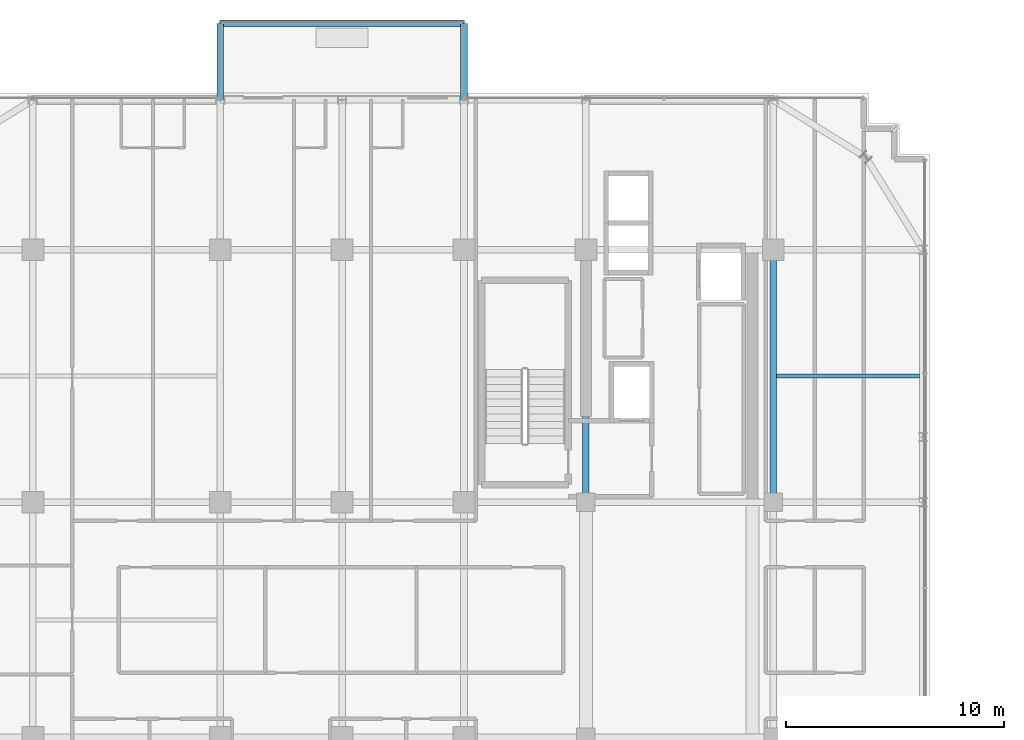
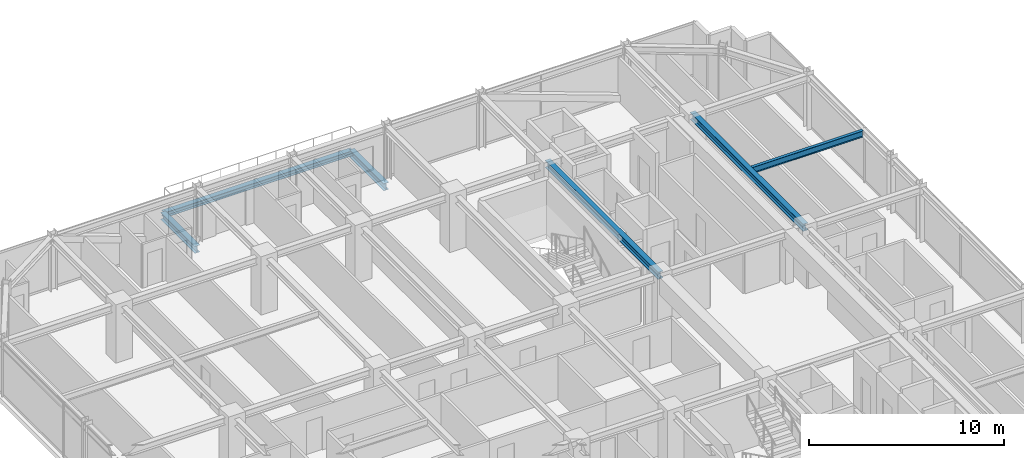
# One storey, part 24 of 43: 6 beams.
"""IFC4 building model written with IfcOpenShell, lengths in metres."""

import ifcopenshell
import ifcopenshell.guid

model = None  # the IFC model being written
_history = None  # IfcOwnerHistory: only IFC2X3 demands one
_inside = {}  # id of a spatial element -> (the spatial element, [elements in it])
_under = {}  # id of a project, library or spatial element -> (it, [spatial elements below it])
_declared = {}  # id of a project -> (the project, [libraries it declares])
_typed = {}  # id of a type object -> (the type object, [elements of that type])
_made_of = {}  # id of a material, layer set ... -> (it, [elements and type objects made of it])


def new_model(schema):
    """Start an empty IFC model of exactly this schema.

    Asked for "IFC4X3", IfcOpenShell would pick the latest addendum, in which some entities
    have other attributes; the version numbers below select the first issue.
    IFC2X3 requires an IfcOwnerHistory on every rooted entity: one is made here for all.
    """
    global model, _history
    if schema == "IFC4X3":
        model = ifcopenshell.file(schema_version=(4, 3, 0, 0))
    else:
        model = ifcopenshell.file(schema=schema)
    _inside.clear()
    _under.clear()
    _declared.clear()
    _typed.clear()
    _made_of.clear()
    _history = None
    if model.schema == "IFC2X3":
        org = make("IfcOrganization", Name="unknown")
        user = make(
            "IfcPersonAndOrganization",
            ThePerson=make("IfcPerson", FamilyName="unknown"),
            TheOrganization=org,
        )
        app = make(
            "IfcApplication",
            ApplicationDeveloper=org,
            Version="unknown",
            ApplicationFullName="unknown",
            ApplicationIdentifier="unknown",
        )
        _history = make(
            "IfcOwnerHistory",
            OwningUser=user,
            OwningApplication=app,
            ChangeAction="ADDED",
            CreationDate=0,
        )
    return model


def make(cls, **values):
    """One entity of the class cls with the attributes given. An attribute that is None is left unset."""
    return model.create_entity(
        cls, **{name: value for name, value in values.items() if value is not None}
    )


def rooted(cls, **values):
    """An entity with a GlobalId (a new one), such as an element, a storey or a relation."""
    return make(cls, GlobalId=ifcopenshell.guid.new(), OwnerHistory=_history, **values)


def si_unit(unit_type, name, prefix=None):
    """IfcSIUnit, for example si_unit("LENGTHUNIT", "METRE", prefix="MILLI")."""
    return make("IfcSIUnit", UnitType=unit_type, Prefix=prefix, Name=name)


def assignment(units):
    """IfcUnitAssignment: the units of a project."""
    return None if units is None else make("IfcUnitAssignment", Units=units)


def point(xyz):
    """IfcCartesianPoint."""
    return None if xyz is None else make("IfcCartesianPoint", Coordinates=xyz)


def direction(xyz):
    """IfcDirection."""
    return None if xyz is None else make("IfcDirection", DirectionRatios=xyz)


def frame(location, z_axis=None, x_axis=None):
    """IfcAxis2Placement3D, a coordinate frame: its origin and axes. An axis left out is left unset."""
    return make(
        "IfcAxis2Placement3D",
        Location=point(location),
        Axis=direction(z_axis),
        RefDirection=direction(x_axis),
    )


def frame_2d(location, x_axis=None):
    """IfcAxis2Placement2D, a coordinate frame in the plane: its origin and x axis."""
    return make(
        "IfcAxis2Placement2D", Location=point(location), RefDirection=direction(x_axis)
    )


def origin():
    """The frame at (0, 0, 0) with its axes left unset."""
    return frame((0.0, 0.0, 0.0))


def origin_2d():
    """The frame at (0, 0) in the plane with its x axis left unset."""
    return frame_2d((0.0, 0.0))


def place(relative_to, where):
    """IfcLocalPlacement: puts the frame where relative to a parent placement (None: the world)."""
    return make(
        "IfcLocalPlacement", PlacementRelTo=relative_to, RelativePlacement=where
    )


def context(
    kind, dimensions, precision=None, world=None, true_north=None, identifier=None
):
    """IfcGeometricRepresentationContext, for example the 3D "Model" context."""
    return make(
        "IfcGeometricRepresentationContext",
        ContextIdentifier=identifier,
        ContextType=kind,
        CoordinateSpaceDimension=dimensions,
        Precision=precision,
        WorldCoordinateSystem=world,
        TrueNorth=true_north,
    )


def subcontext(parent, identifier, kind, view, scale=None):
    """IfcGeometricRepresentationSubContext, for example "Body" below "Model"."""
    return make(
        "IfcGeometricRepresentationSubContext",
        ContextIdentifier=identifier,
        ContextType=kind,
        ParentContext=parent,
        TargetScale=scale,
        TargetView=view,
    )


def project(units=None, contexts=None):
    """IfcProject with its units and contexts."""
    return rooted(
        "IfcProject",
        Name="project",
        RepresentationContexts=contexts,
        UnitsInContext=assignment(units),
    )


def spatial(cls, under=None, at=None, **own):
    """A site, building, storey or space (cls), placed at a placement, below another one or the project."""
    s = rooted(cls, ObjectPlacement=at, **own)
    if under is not None:
        _under.setdefault(under.id(), (under, []))[1].append(s)
    return s


def profile(cls, at=None, kind="AREA", **sizes):
    """A parametric profile (cls). Its sizes go by their IFC names, for example OverallWidth=200.0."""
    return make(cls, ProfileType=kind, Position=at, **sizes)


def i_section(**sizes):
    """IfcIShapeProfileDef."""
    return profile("IfcIShapeProfileDef", **sizes)


def extrude(swept, where, along, depth):
    """IfcExtrudedAreaSolid: the profile swept, set in the frame where, extruded along a direction by depth."""
    return make(
        "IfcExtrudedAreaSolid",
        SweptArea=swept,
        Position=where,
        ExtrudedDirection=direction(along),
        Depth=depth,
    )


def shape(context_of_items, identifier, shape_type, items):
    """IfcShapeRepresentation: the items that make up one representation, for example the "Body"."""
    return make(
        "IfcShapeRepresentation",
        ContextOfItems=context_of_items,
        RepresentationIdentifier=identifier,
        RepresentationType=shape_type,
        Items=items,
    )


def source(mapping_origin, context_of_items, identifier, shape_type, items):
    """IfcRepresentationMap: a shape defined once, which mapped items show again and again."""
    return make(
        "IfcRepresentationMap",
        MappingOrigin=mapping_origin,
        MappedRepresentation=shape(context_of_items, identifier, shape_type, items),
    )


def transform(
    local_origin,
    x_axis=None,
    y_axis=None,
    z_axis=None,
    scale=None,
    scale2=None,
    scale3=None,
    uniform=True,
):
    """IfcCartesianTransformationOperator3D, or its non-uniform kind. x_axis, y_axis, z_axis: its Axis1, 2, 3."""
    if uniform:
        return make(
            "IfcCartesianTransformationOperator3D",
            Axis1=direction(x_axis),
            Axis2=direction(y_axis),
            LocalOrigin=point(local_origin),
            Scale=scale,
            Axis3=direction(z_axis),
        )
    return make(
        "IfcCartesianTransformationOperator3DnonUniform",
        Axis1=direction(x_axis),
        Axis2=direction(y_axis),
        LocalOrigin=point(local_origin),
        Scale=scale,
        Axis3=direction(z_axis),
        Scale2=scale2,
        Scale3=scale3,
    )


def mapped(mapping_source, mapping_target):
    """IfcMappedItem: shows the shape of a source again, moved by a transform."""
    return make(
        "IfcMappedItem", MappingSource=mapping_source, MappingTarget=mapping_target
    )


def material(Name=None, Category=None):
    """IfcMaterial."""
    return make("IfcMaterial", Name=Name, Category=Category)


def material_profile(
    of_material, cross_section, Name=None, Category=None, Priority=None
):
    """IfcMaterialProfile: a cross section and its material."""
    return make(
        "IfcMaterialProfile",
        Name=Name,
        Material=of_material,
        Profile=cross_section,
        Priority=Priority,
        Category=Category,
    )


def profile_set(profiles, Name=None, composite=None):
    """IfcMaterialProfileSet."""
    return make(
        "IfcMaterialProfileSet",
        Name=Name,
        MaterialProfiles=profiles,
        CompositeProfile=composite,
    )


def made_of(thing, what):
    """Note that an element or type object is made of a material, layer set ...; save() writes the relation."""
    if what is not None:
        _made_of.setdefault(what.id(), (what, []))[1].append(thing)
    return thing


def type_object(cls, material=None, **own):
    """A type object (cls), such as IfcWallType, which elements share."""
    return made_of(rooted(cls, **own), material)


def element(
    cls,
    number,
    at=None,
    inside=None,
    cuts=None,
    type_object=None,
    material=None,
    context=None,
    identifier="Body",
    shape_type=None,
    held_by="IfcProductDefinitionShape",
    body=None,
    shapes=None,
    **own,
):
    """One element of the class cls, such as IfcWall. Its Tag is "e" and its number.

    at: its placement. inside: the storey or other place that contains it. cuts: it is an
    opening in that element (IfcRelVoidsElement). A single representation is given by context,
    identifier, shape_type and body (its items); several are given by shapes. held_by: the class
    of the entity that holds the representations. save() writes the other relations.
    """
    e = rooted(cls, Tag="e%d" % number, ObjectPlacement=at, **own)
    if body is not None:
        shapes = [shape(context, identifier, shape_type, body)]
    if shapes is not None:
        e.Representation = make(held_by, Representations=shapes)
    if inside is not None:
        _inside.setdefault(inside.id(), (inside, []))[1].append(e)
    if cuts is not None:
        rooted(
            "IfcRelVoidsElement", RelatingBuildingElement=cuts, RelatedOpeningElement=e
        )
    if type_object is not None:
        _typed.setdefault(type_object.id(), (type_object, []))[1].append(e)
    return made_of(e, material)


def aggregate(whole, parts):
    """IfcRelAggregates: a whole, such as a stair, and the parts it consists of."""
    return rooted("IfcRelAggregates", RelatingObject=whole, RelatedObjects=parts)


def save(model, path):
    """Write the relations noted so far, then the file.

    IfcRelAggregates (storeys below a building ...), IfcRelContainedInSpatialStructure (elements
    in a storey), IfcRelDefinesByType, IfcRelAssociatesMaterial and IfcRelDeclares: one each for
    every whole, place, type object, material and project.
    """
    for whole, parts in _under.values():
        aggregate(whole, parts)
    for where, things in _inside.values():
        rooted(
            "IfcRelContainedInSpatialStructure",
            RelatedElements=things,
            RelatingStructure=where,
        )
    for kind, things in _typed.values():
        rooted("IfcRelDefinesByType", RelatedObjects=things, RelatingType=kind)
    for what, things in _made_of.values():
        rooted("IfcRelAssociatesMaterial", RelatedObjects=things, RelatingMaterial=what)
    for by, libraries in _declared.values():
        rooted("IfcRelDeclares", RelatingContext=by, RelatedDefinitions=libraries)
    model.write(path)


model = new_model("IFC4")

# Units and contexts
model_context = context("Model", 3, precision=1e-05, world=origin(), true_north=direction((0.0, 1.0)))
body_context = subcontext(model_context, "Body", "Model", "MODEL_VIEW")
ifc_project = project(units=[si_unit("LENGTHUNIT", "METRE"), si_unit("AREAUNIT", "SQUARE_METRE"), si_unit("VOLUMEUNIT", "CUBIC_METRE"), si_unit("PLANEANGLEUNIT", "RADIAN"), si_unit("MASSUNIT", "GRAM", prefix="KILO")], contexts=[model_context])

# Site, building, storey
site_placement = place(None, origin())
site = spatial("IfcSite", under=ifc_project, at=site_placement, CompositionType="ELEMENT")
building_placement = place(site_placement, origin())
building = spatial("IfcBuilding", under=site, at=building_placement, Name="Nahalor Promenade Grand Hotel", CompositionType="ELEMENT")
storey_placement = place(building_placement, frame((0.0, 0.0, 204.89990234375)))
storey = spatial("IfcBuildingStorey", under=building, at=storey_placement, Name="L52", CompositionType="ELEMENT", Elevation=204.89990234375)

# Beams
ifc_material = material(Name="Steel S355JR", Category="steel")
ifc_material_profile_1 = material_profile(ifc_material, i_section(OverallWidth=0.3, OverallDepth=0.32, WebThickness=0.0115, FlangeThickness=0.0205, at=origin_2d()), Name="HEB 320")
ifc_profile_set_1 = profile_set([ifc_material_profile_1], Name="Steel S355JR")
beam_type_1 = type_object("IfcBeamType", Name="Beam-BalcEdge-HEB320", PredefinedType="SPANDREL", material=ifc_profile_set_1)
shared_shape_1 = source(origin(), body_context, "Body", "SweptSolid", [
    extrude(i_section(OverallWidth=0.3, OverallDepth=0.32, WebThickness=0.0115, FlangeThickness=0.0205, at=origin_2d()), origin(), (0.0, 0.0, 1.0), 11.199951171875),
])
beam_1_placement = place(storey_placement, frame((-8.39990234375, 27.39990234375, -0.43994140625), z_axis=(1.0, 0.0, 0.0), x_axis=(0.0, 1.0, 0.0)))
element("IfcBeam", 1, at=beam_1_placement, inside=storey, type_object=beam_type_1, Name="BM-L52-BC-01-F", PredefinedType="SPANDREL", context=body_context, shape_type="MappedRepresentation", body=[
    mapped(shared_shape_1, transform((0.0, 0.0, 0.0), scale=1.0)),
])
ifc_material_profile_2 = material_profile(ifc_material, i_section(OverallWidth=0.3, OverallDepth=0.45, WebThickness=0.014, FlangeThickness=0.026, at=origin_2d()), Name="HEB 450")
ifc_profile_set_2 = profile_set([ifc_material_profile_2], Name="Steel S355JR")
beam_type_2 = type_object("IfcBeamType", Name="Beam-Outrigger-HEB450", PredefinedType="BEAM", material=ifc_profile_set_2)
shared_shape_2 = source(origin(), body_context, "Body", "SweptSolid", [
    extrude(i_section(OverallWidth=0.3, OverallDepth=0.45, WebThickness=0.014, FlangeThickness=0.026, at=origin_2d()), origin(), (0.0, 0.0, 1.0), 3.52001953125),
])
for number, where, z_axis, x_axis, name in (
    (2, (-8.39990234375, 23.8798828125, -0.5048828125), (0.0, 1.0, 0.0), (-1.0, 0.0, 0.0), "BM-L52-BC-01-1"),
    (3, (2.800048828125, 23.8798828125, -0.5048828125), (0.0, 1.0, 0.0), (-1.0, 0.0, 0.0), "BM-L52-BC-01-2"),
):
    element("IfcBeam", number, at=place(storey_placement, frame(where, z_axis=z_axis, x_axis=x_axis)), inside=storey, type_object=beam_type_2, Name=name, PredefinedType="BEAM", context=body_context, shape_type="MappedRepresentation", body=[
        mapped(shared_shape_2, transform((0.0, 0.0, 0.0), scale=1.0)),
    ])
ifc_material_profile_3 = material_profile(ifc_material, i_section(OverallWidth=0.3, OverallDepth=0.45, WebThickness=0.014, FlangeThickness=0.026, at=origin_2d()), Name="HEB 450")
ifc_profile_set_3 = profile_set([ifc_material_profile_3], Name="Steel S355JR")
beam_type_3 = type_object("IfcBeamType", Name="Beam-Girder-HEB450", PredefinedType="BEAM", material=ifc_profile_set_3)
shared_shape_3 = source(origin(), body_context, "Body", "SweptSolid", [
    extrude(i_section(OverallWidth=0.3, OverallDepth=0.45, WebThickness=0.014, FlangeThickness=0.026, at=origin_2d()), origin(), (0.0, 0.0, 1.0), 11.60009765625),
])
for number, where, z_axis, x_axis, name in (
    (4, (8.39990234375, 5.39990234375, 3.18505859375), (0.0, 1.0, 0.0), (-1.0, 0.0, 0.0), "BM-L52-GY-4-3"),
    (5, (17.0, 5.39990234375, 3.18505859375), (0.0, 1.0, 0.0), (-1.0, 0.0, 0.0), "BM-L52-GY-5-3"),
):
    element("IfcBeam", number, at=place(storey_placement, frame(where, z_axis=z_axis, x_axis=x_axis)), inside=storey, type_object=beam_type_3, Name=name, PredefinedType="BEAM", context=body_context, shape_type="MappedRepresentation", body=[
        mapped(shared_shape_3, transform((0.0, 0.0, 0.0), scale=1.0)),
    ])
ifc_material_profile_4 = material_profile(ifc_material, i_section(OverallWidth=0.18, OverallDepth=0.4, WebThickness=0.0086, FlangeThickness=0.0135, at=origin_2d()), Name="IPE 400")
ifc_profile_set_4 = profile_set([ifc_material_profile_4], Name="Steel S355JR")
beam_type_4 = type_object("IfcBeamType", Name="Beam-Joist-IPE400", PredefinedType="JOIST", material=ifc_profile_set_4)
shared_shape_4 = source(origin(), body_context, "Body", "SweptSolid", [
    extrude(i_section(OverallWidth=0.18, OverallDepth=0.4, WebThickness=0.0086, FlangeThickness=0.0135, at=origin_2d()), origin(), (0.0, 0.0, 1.0), 6.580078125),
])
beam_2_placement = place(storey_placement, frame((17.14990234375, 11.199951171875, 3.210205078125), z_axis=(1.0, 0.0, 0.0), x_axis=(0.0, 1.0, 0.0)))
element("IfcBeam", 6, at=beam_2_placement, inside=storey, type_object=beam_type_4, Name="BM-L52-JSE-1-2", PredefinedType="JOIST", context=body_context, shape_type="MappedRepresentation", body=[
    mapped(shared_shape_4, transform((0.0, 0.0, 0.0), scale=1.0)),
])

save(model, "model.ifc")
